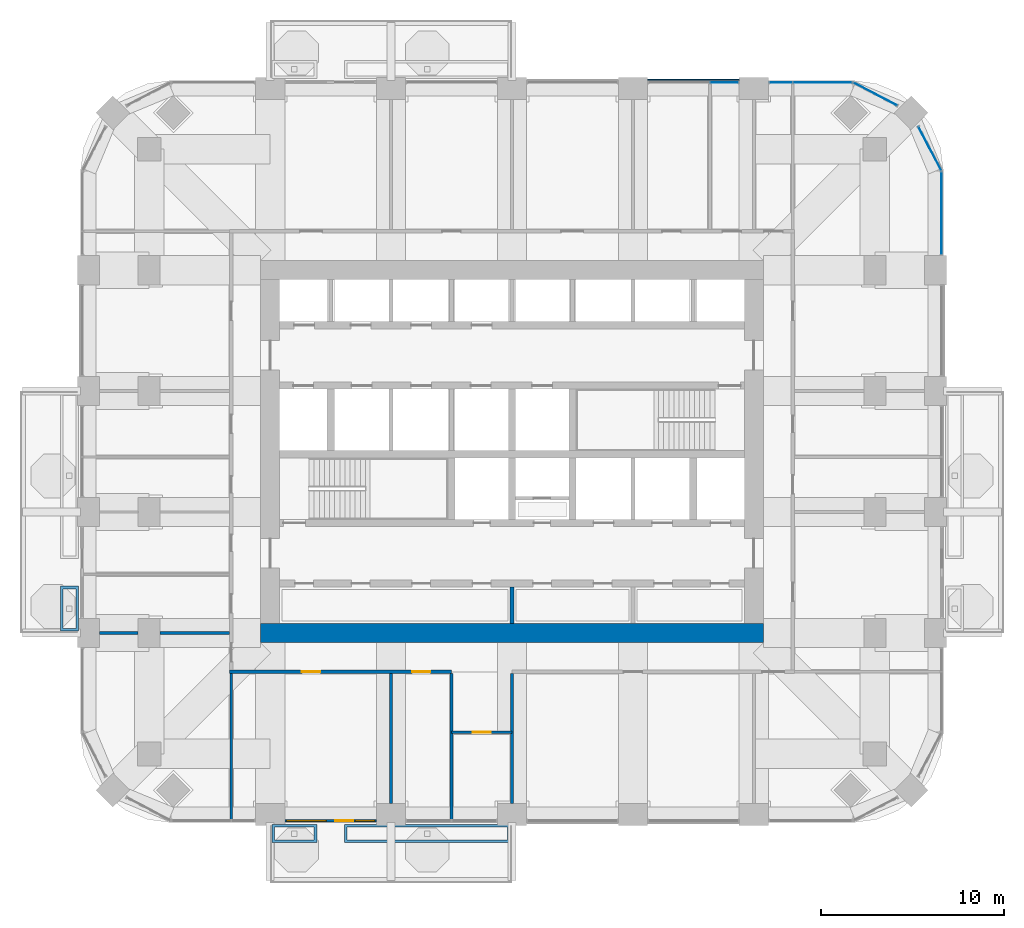
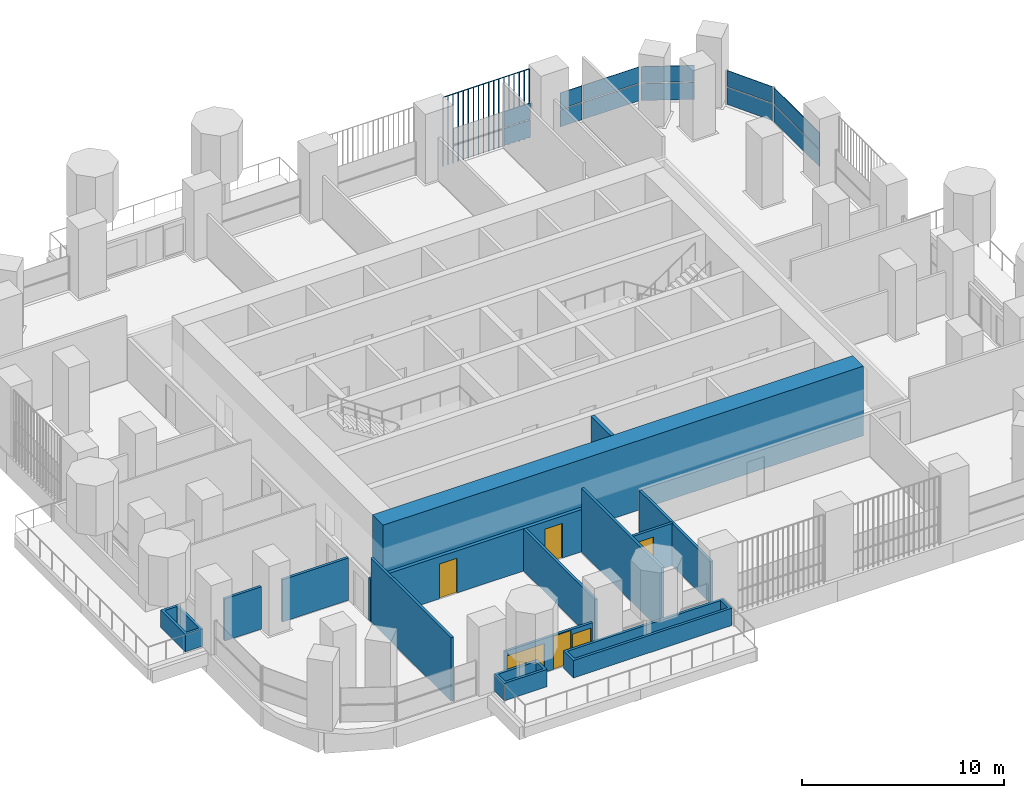
# One storey, part 11 of 20: 14 walls, 13 plates, 4 doors, 2 windows, 6 openings, 5 elements without a shape of their own.
"""IFC4 building model written with IfcOpenShell, lengths in metres."""

from ifc_helpers import new_model, si_unit, direction, frame, frame_2d, origin, origin_2d, place, context, subcontext, project, spatial, polyline, rectangle, outline, extrude, material, layer, layer_set, type_object, element, fill, aggregate, save


model = new_model("IFC4")

# Units and contexts
model_context = context("Model", 3, precision=1e-05, world=origin(), true_north=direction((0.0, 1.0)))
body_context = subcontext(model_context, "Body", "Model", "MODEL_VIEW")
ifc_project = project(units=[si_unit("LENGTHUNIT", "METRE"), si_unit("AREAUNIT", "SQUARE_METRE"), si_unit("VOLUMEUNIT", "CUBIC_METRE"), si_unit("PLANEANGLEUNIT", "RADIAN"), si_unit("MASSUNIT", "GRAM", prefix="KILO")], contexts=[model_context])

# Site, building, storey
site_placement = place(None, origin())
site = spatial("IfcSite", under=ifc_project, at=site_placement, CompositionType="ELEMENT")
building_placement = place(site_placement, origin())
building = spatial("IfcBuilding", under=site, at=building_placement, Name="Cobogo Forest Laboratory Tower", CompositionType="ELEMENT")
storey_placement = place(building_placement, frame((0.0, 0.0, 218.699951171875)))
storey = spatial("IfcBuildingStorey", under=building, at=storey_placement, Name="L50", CompositionType="ELEMENT", Elevation=218.699951171875)

# Curtain wall, plates
ifc_material_1 = material(Name="Aluminium curtain wall", Category="aluminium")
curtain_wall_type = type_object("IfcCurtainWallType", Name="CW-2 unitised curtain wall, solar control glazing, laboratory floors zones C and D", PredefinedType="USERDEFINED", material=ifc_material_1)
curtain_wall_1_placement = place(storey_placement, origin())
curtain_wall_1 = element("IfcCurtainWall", 1, at=curtain_wall_1_placement, inside=storey, type_object=curtain_wall_type, Name="Curtain wall 13 L50", ObjectType="UNITISED CURTAIN WALL", PredefinedType="USERDEFINED")
ifc_material_2 = material(Name="Solar control insulated glass", Category="glass")
ifc_layer_1 = layer(ifc_material_2, 0.031982421875)
ifc_layer_set_1 = layer_set([ifc_layer_1], Name="GP-2 solar control glass unit 32")
plate_type_1 = type_object("IfcPlateType", Name="GP-2 solar control glass unit 32", PredefinedType="CURTAIN_PANEL", material=ifc_layer_set_1)
plate_1_placement = place(storey_placement, frame((49.85009765625, 36.10009765625, 0.0), z_axis=(0.0, 0.0, 1.0), x_axis=(0.0, 1.0, 0.0)))
plate_1 = element("IfcPlate", 2, at=plate_1_placement, type_object=plate_type_1, Name="CW-2 panel 1.1", PredefinedType="CURTAIN_PANEL", context=body_context, shape_type="SweptSolid", body=[
    extrude(rectangle(XDim=4.47998046875, YDim=0.031982421875, at=origin_2d()), origin(), (0.0, 0.0, 1.0), 1.02001953125),
])
plate_2_placement = place(storey_placement, frame((49.85009765625, 36.10009765625, 1.080078125), z_axis=(0.0, 0.0, 1.0), x_axis=(0.0, 1.0, 0.0)))
plate_2 = element("IfcPlate", 3, at=plate_2_placement, type_object=plate_type_1, Name="CW-2 panel 1.2", PredefinedType="CURTAIN_PANEL", context=body_context, shape_type="SweptSolid", body=[
    extrude(rectangle(XDim=4.47998046875, YDim=0.031982421875, at=origin_2d()), origin(), (0.0, 0.0, 1.0), 0.969970703125),
])
aggregate(curtain_wall_1, [plate_1, plate_2])

curtain_wall_2_placement = place(storey_placement, origin())
curtain_wall_2 = element("IfcCurtainWall", 4, at=curtain_wall_2_placement, inside=storey, type_object=curtain_wall_type, Name="Curtain wall 14 L50", ObjectType="UNITISED CURTAIN WALL", PredefinedType="USERDEFINED")
plate_3_placement = place(storey_placement, frame((49.20556640625, 39.629150390625, 0.0), z_axis=(0.0, 0.0, 1.0), x_axis=(-0.464283685186, 0.885686547075, 0.0)))
plate_3 = element("IfcPlate", 5, at=plate_3_placement, type_object=plate_type_1, Name="CW-2 panel 1.1", PredefinedType="CURTAIN_PANEL", context=body_context, shape_type="SweptSolid", body=[
    extrude(rectangle(XDim=2.655517578125, YDim=0.031982421875, at=origin_2d()), origin(), (0.0, 0.0, 1.0), 1.02001953125),
])
plate_4_placement = place(storey_placement, frame((49.20556640625, 39.629150390625, 1.080078125), z_axis=(0.0, 0.0, 1.0), x_axis=(-0.464283685186, 0.885686547075, 0.0)))
plate_4 = element("IfcPlate", 6, at=plate_4_placement, type_object=plate_type_1, Name="CW-2 panel 1.2", PredefinedType="CURTAIN_PANEL", context=body_context, shape_type="SweptSolid", body=[
    extrude(rectangle(XDim=2.655517578125, YDim=0.031982421875, at=origin_2d()), origin(), (0.0, 0.0, 1.0), 0.969970703125),
])
aggregate(curtain_wall_2, [plate_3, plate_4])

curtain_wall_3_placement = place(storey_placement, origin())
curtain_wall_3 = element("IfcCurtainWall", 7, at=curtain_wall_3_placement, inside=storey, type_object=curtain_wall_type, Name="Curtain wall 15 L50", ObjectType="UNITISED CURTAIN WALL", PredefinedType="USERDEFINED")
plate_5_placement = place(storey_placement, frame((46.229248046875, 42.605712890625, 0.0), z_axis=(0.0, 0.0, 1.0), x_axis=(-0.885686547075, 0.464283685186, 0.0)))
plate_5 = element("IfcPlate", 8, at=plate_5_placement, type_object=plate_type_1, Name="CW-2 panel 1.1", PredefinedType="CURTAIN_PANEL", context=body_context, shape_type="SweptSolid", body=[
    extrude(rectangle(XDim=2.655517578125, YDim=0.031982421875, at=origin_2d()), origin(), (0.0, 0.0, 1.0), 1.02001953125),
])
plate_6_placement = place(storey_placement, frame((46.229248046875, 42.605712890625, 1.080078125), z_axis=(0.0, 0.0, 1.0), x_axis=(-0.885686547075, 0.464283685186, 0.0)))
plate_6 = element("IfcPlate", 9, at=plate_6_placement, type_object=plate_type_1, Name="CW-2 panel 1.2", PredefinedType="CURTAIN_PANEL", context=body_context, shape_type="SweptSolid", body=[
    extrude(rectangle(XDim=2.655517578125, YDim=0.031982421875, at=origin_2d()), origin(), (0.0, 0.0, 1.0), 0.969970703125),
])
aggregate(curtain_wall_3, [plate_5, plate_6])

curtain_wall_4_placement = place(storey_placement, origin())
curtain_wall_4 = element("IfcCurtainWall", 10, at=curtain_wall_4_placement, inside=storey, type_object=curtain_wall_type, Name="Curtain wall 16 L50", ObjectType="UNITISED CURTAIN WALL", PredefinedType="USERDEFINED")
plate_7_placement = place(storey_placement, frame((43.347412109375, 43.25, 0.0), z_axis=(0.0, 0.0, 1.0), x_axis=(-1.0, 0.0, 0.0)))
plate_7 = element("IfcPlate", 11, at=plate_7_placement, type_object=plate_type_1, Name="CW-2 panel 1.1", PredefinedType="CURTAIN_PANEL", context=body_context, shape_type="SweptSolid", body=[
    extrude(rectangle(XDim=3.18505859375, YDim=0.031982421875, at=origin_2d()), origin(), (0.0, 0.0, 1.0), 1.02001953125),
])
plate_8_placement = place(storey_placement, frame((43.347412109375, 43.25, 1.080078125), z_axis=(0.0, 0.0, 1.0), x_axis=(-1.0, 0.0, 0.0)))
plate_8 = element("IfcPlate", 12, at=plate_8_placement, type_object=plate_type_1, Name="CW-2 panel 1.2", PredefinedType="CURTAIN_PANEL", context=body_context, shape_type="SweptSolid", body=[
    extrude(rectangle(XDim=3.18505859375, YDim=0.031982421875, at=origin_2d()), origin(), (0.0, 0.0, 1.0), 0.969970703125),
])
plate_9_placement = place(storey_placement, frame((41.077392578125, 43.25, 0.0), z_axis=(0.0, 0.0, 1.0), x_axis=(-1.0, 0.0, 0.0)))
plate_9 = element("IfcPlate", 13, at=plate_9_placement, type_object=plate_type_1, Name="CW-2 panel 2.1", PredefinedType="CURTAIN_PANEL", context=body_context, shape_type="SweptSolid", body=[
    extrude(rectangle(XDim=1.235107421875, YDim=0.031982421875, at=origin_2d()), origin(), (0.0, 0.0, 1.0), 1.02001953125),
])
plate_10_placement = place(storey_placement, frame((41.077392578125, 43.25, 1.080078125), z_axis=(0.0, 0.0, 1.0), x_axis=(-1.0, 0.0, 0.0)))
plate_10 = element("IfcPlate", 14, at=plate_10_placement, type_object=plate_type_1, Name="CW-2 panel 2.2", PredefinedType="CURTAIN_PANEL", context=body_context, shape_type="SweptSolid", body=[
    extrude(rectangle(XDim=1.235107421875, YDim=0.031982421875, at=origin_2d()), origin(), (0.0, 0.0, 1.0), 0.969970703125),
])
aggregate(curtain_wall_4, [plate_7, plate_8, plate_9, plate_10])

curtain_wall_5_placement = place(storey_placement, origin())
curtain_wall_5 = element("IfcCurtainWall", 15, at=curtain_wall_5_placement, inside=storey, type_object=curtain_wall_type, Name="Curtain wall 17 L50", ObjectType="UNITISED CURTAIN WALL", PredefinedType="USERDEFINED")
plate_11_placement = place(storey_placement, frame((37.985107421875, 43.25, 0.0), z_axis=(0.0, 0.0, 1.0), x_axis=(-1.0, 0.0, 0.0)))
plate_11 = element("IfcPlate", 16, at=plate_11_placement, type_object=plate_type_1, Name="CW-2 panel 1.1", PredefinedType="CURTAIN_PANEL", context=body_context, shape_type="SweptSolid", body=[
    extrude(rectangle(XDim=1.510009765625, YDim=0.031982421875, at=origin_2d()), origin(), (0.0, 0.0, 1.0), 1.02001953125),
])
plate_12_placement = place(storey_placement, frame((37.985107421875, 43.25, 1.080078125), z_axis=(0.0, 0.0, 1.0), x_axis=(-1.0, 0.0, 0.0)))
plate_12 = element("IfcPlate", 17, at=plate_12_placement, type_object=plate_type_1, Name="CW-2 panel 1.2", PredefinedType="CURTAIN_PANEL", context=body_context, shape_type="SweptSolid", body=[
    extrude(rectangle(XDim=1.510009765625, YDim=0.031982421875, at=origin_2d()), origin(), (0.0, 0.0, 1.0), 0.969970703125),
])
aggregate(curtain_wall_5, [plate_11, plate_12])

# Plate
ifc_material_3 = material(Name="Terracotta", Category="masonry")
plate_type_2 = type_object("IfcPlateType", Name="TB1 terracotta baguette screen", PredefinedType="USERDEFINED", material=ifc_material_3)
plate_13_placement = place(storey_placement, frame((33.831298828125, 43.3779296875, -0.14990234375)))
element("IfcPlate", 18, at=plate_13_placement, inside=storey, type_object=plate_type_2, Name="Baguette screen N4 L50", ObjectType="BAGUETTE SCREEN", PredefinedType="USERDEFINED", context=body_context, shape_type="SweptSolid", body=[
    extrude(outline(polyline([(0.02880859375, 0.011962890625), (0.011962890625, 0.02880859375), (-0.011962890625, 0.02880859375), (-0.02880859375, 0.011962890625), (-0.02880859375, -0.011962890625), (-0.011962890625, -0.02880859375), (0.011962890625, -0.02880859375), (0.02880859375, -0.011962890625), (0.02880859375, 0.011962890625)])), frame((0.0, 0.0, 4.168701171875), z_axis=(1.0, 0.0, 0.0), x_axis=(0.0, 1.0, 0.0)), (0.0, 0.0, 1.0), 4.9375),
    extrude(outline(polyline([(0.02880859375, 0.011962890625), (0.011962890625, 0.02880859375), (-0.011962890625, 0.02880859375), (-0.02880859375, 0.011962890625), (-0.02880859375, -0.011962890625), (-0.011962890625, -0.02880859375), (0.011962890625, -0.02880859375), (0.02880859375, -0.011962890625), (0.02880859375, 0.011962890625)])), origin(), (0.0, 0.0, 1.0), 4.137451171875),
    extrude(outline(polyline([(0.02880859375, 0.011962890625), (0.011962890625, 0.02880859375), (-0.011962890625, 0.02880859375), (-0.02880859375, 0.011962890625), (-0.02880859375, -0.011962890625), (-0.011962890625, -0.02880859375), (0.011962890625, -0.02880859375), (0.02880859375, -0.011962890625), (0.02880859375, 0.011962890625)])), frame((0.29052734375, 0.0, 0.0)), (0.0, 0.0, 1.0), 4.137451171875),
    extrude(outline(polyline([(0.02880859375, 0.011962890625), (0.011962890625, 0.02880859375), (-0.011962890625, 0.02880859375), (-0.02880859375, 0.011962890625), (-0.02880859375, -0.011962890625), (-0.011962890625, -0.02880859375), (0.011962890625, -0.02880859375), (0.02880859375, -0.011962890625), (0.02880859375, 0.011962890625)])), frame((0.580810546875, 0.0, 0.0)), (0.0, 0.0, 1.0), 4.137451171875),
    extrude(outline(polyline([(0.02880859375, 0.011962890625), (0.011962890625, 0.02880859375), (-0.011962890625, 0.02880859375), (-0.02880859375, 0.011962890625), (-0.02880859375, -0.011962890625), (-0.011962890625, -0.02880859375), (0.011962890625, -0.02880859375), (0.02880859375, -0.011962890625), (0.02880859375, 0.011962890625)])), frame((0.871337890625, 0.0, 0.0)), (0.0, 0.0, 1.0), 4.137451171875),
    extrude(outline(polyline([(0.02880859375, 0.011962890625), (0.011962890625, 0.02880859375), (-0.011962890625, 0.02880859375), (-0.02880859375, 0.011962890625), (-0.02880859375, -0.011962890625), (-0.011962890625, -0.02880859375), (0.011962890625, -0.02880859375), (0.02880859375, -0.011962890625), (0.02880859375, 0.011962890625)])), frame((1.161865234375, 0.0, 0.0)), (0.0, 0.0, 1.0), 4.137451171875),
    extrude(outline(polyline([(0.02880859375, 0.011962890625), (0.011962890625, 0.02880859375), (-0.011962890625, 0.02880859375), (-0.02880859375, 0.011962890625), (-0.02880859375, -0.011962890625), (-0.011962890625, -0.02880859375), (0.011962890625, -0.02880859375), (0.02880859375, -0.011962890625), (0.02880859375, 0.011962890625)])), frame((1.4521484375, 0.0, 0.0)), (0.0, 0.0, 1.0), 4.137451171875),
    extrude(outline(polyline([(0.02880859375, 0.011962890625), (0.011962890625, 0.02880859375), (-0.011962890625, 0.02880859375), (-0.02880859375, 0.011962890625), (-0.02880859375, -0.011962890625), (-0.011962890625, -0.02880859375), (0.011962890625, -0.02880859375), (0.02880859375, -0.011962890625), (0.02880859375, 0.011962890625)])), frame((1.74267578125, 0.0, 0.0)), (0.0, 0.0, 1.0), 4.137451171875),
    extrude(outline(polyline([(0.02880859375, 0.011962890625), (0.011962890625, 0.02880859375), (-0.011962890625, 0.02880859375), (-0.02880859375, 0.011962890625), (-0.02880859375, -0.011962890625), (-0.011962890625, -0.02880859375), (0.011962890625, -0.02880859375), (0.02880859375, -0.011962890625), (0.02880859375, 0.011962890625)])), frame((2.033203125, 0.0, 0.0)), (0.0, 0.0, 1.0), 4.137451171875),
    extrude(outline(polyline([(0.02880859375, 0.011962890625), (0.011962890625, 0.02880859375), (-0.011962890625, 0.02880859375), (-0.02880859375, 0.011962890625), (-0.02880859375, -0.011962890625), (-0.011962890625, -0.02880859375), (0.011962890625, -0.02880859375), (0.02880859375, -0.011962890625), (0.02880859375, 0.011962890625)])), frame((2.323486328125, 0.0, 0.0)), (0.0, 0.0, 1.0), 4.137451171875),
    extrude(outline(polyline([(0.02880859375, 0.011962890625), (0.011962890625, 0.02880859375), (-0.011962890625, 0.02880859375), (-0.02880859375, 0.011962890625), (-0.02880859375, -0.011962890625), (-0.011962890625, -0.02880859375), (0.011962890625, -0.02880859375), (0.02880859375, -0.011962890625), (0.02880859375, 0.011962890625)])), frame((2.614013671875, 0.0, 0.0)), (0.0, 0.0, 1.0), 4.137451171875),
    extrude(outline(polyline([(0.02880859375, 0.011962890625), (0.011962890625, 0.02880859375), (-0.011962890625, 0.02880859375), (-0.02880859375, 0.011962890625), (-0.02880859375, -0.011962890625), (-0.011962890625, -0.02880859375), (0.011962890625, -0.02880859375), (0.02880859375, -0.011962890625), (0.02880859375, 0.011962890625)])), frame((2.904296875, 0.0, 0.0)), (0.0, 0.0, 1.0), 4.137451171875),
    extrude(outline(polyline([(0.02880859375, 0.011962890625), (0.011962890625, 0.02880859375), (-0.011962890625, 0.02880859375), (-0.02880859375, 0.011962890625), (-0.02880859375, -0.011962890625), (-0.011962890625, -0.02880859375), (0.011962890625, -0.02880859375), (0.02880859375, -0.011962890625), (0.02880859375, 0.011962890625)])), frame((3.19482421875, 0.0, 0.0)), (0.0, 0.0, 1.0), 4.137451171875),
    extrude(outline(polyline([(0.02880859375, 0.011962890625), (0.011962890625, 0.02880859375), (-0.011962890625, 0.02880859375), (-0.02880859375, 0.011962890625), (-0.02880859375, -0.011962890625), (-0.011962890625, -0.02880859375), (0.011962890625, -0.02880859375), (0.02880859375, -0.011962890625), (0.02880859375, 0.011962890625)])), frame((3.4853515625, 0.0, 0.0)), (0.0, 0.0, 1.0), 4.137451171875),
    extrude(outline(polyline([(0.02880859375, 0.011962890625), (0.011962890625, 0.02880859375), (-0.011962890625, 0.02880859375), (-0.02880859375, 0.011962890625), (-0.02880859375, -0.011962890625), (-0.011962890625, -0.02880859375), (0.011962890625, -0.02880859375), (0.02880859375, -0.011962890625), (0.02880859375, 0.011962890625)])), frame((3.775634765625, 0.0, 0.0)), (0.0, 0.0, 1.0), 4.137451171875),
    extrude(outline(polyline([(0.02880859375, 0.011962890625), (0.011962890625, 0.02880859375), (-0.011962890625, 0.02880859375), (-0.02880859375, 0.011962890625), (-0.02880859375, -0.011962890625), (-0.011962890625, -0.02880859375), (0.011962890625, -0.02880859375), (0.02880859375, -0.011962890625), (0.02880859375, 0.011962890625)])), frame((4.066162109375, 0.0, 0.0)), (0.0, 0.0, 1.0), 4.137451171875),
    extrude(outline(polyline([(0.02880859375, 0.011962890625), (0.011962890625, 0.02880859375), (-0.011962890625, 0.02880859375), (-0.02880859375, 0.011962890625), (-0.02880859375, -0.011962890625), (-0.011962890625, -0.02880859375), (0.011962890625, -0.02880859375), (0.02880859375, -0.011962890625), (0.02880859375, 0.011962890625)])), frame((4.356689453125, 0.0, 0.0)), (0.0, 0.0, 1.0), 4.137451171875),
    extrude(outline(polyline([(0.02880859375, 0.011962890625), (0.011962890625, 0.02880859375), (-0.011962890625, 0.02880859375), (-0.02880859375, 0.011962890625), (-0.02880859375, -0.011962890625), (-0.011962890625, -0.02880859375), (0.011962890625, -0.02880859375), (0.02880859375, -0.011962890625), (0.02880859375, 0.011962890625)])), frame((4.64697265625, 0.0, 0.0)), (0.0, 0.0, 1.0), 4.137451171875),
    extrude(outline(polyline([(0.02880859375, 0.011962890625), (0.011962890625, 0.02880859375), (-0.011962890625, 0.02880859375), (-0.02880859375, 0.011962890625), (-0.02880859375, -0.011962890625), (-0.011962890625, -0.02880859375), (0.011962890625, -0.02880859375), (0.02880859375, -0.011962890625), (0.02880859375, 0.011962890625)])), frame((4.9375, 0.0, 0.0)), (0.0, 0.0, 1.0), 4.137451171875),
])

# Wall
ifc_material_4 = material(Name="Concrete HA-50 (C50/60)", Category="concrete")
ifc_layer_2 = layer(ifc_material_4, 1.050048828125)
ifc_layer_set_2 = layer_set([ifc_layer_2], Name="CW1050 core outer wall 1050")
wall_type_1 = type_object("IfcWallType", Name="CW1050 core outer wall 1050", PredefinedType="SHEAR", material=ifc_layer_set_2)
wall_1_placement = place(storey_placement, frame((12.675048828125, 13.199951171875, 0.0), z_axis=(0.0, 0.0, 1.0), x_axis=(1.0, 0.0, 0.0)))
element("IfcWall", 19, at=wall_1_placement, inside=storey, type_object=wall_type_1, Name="Core wall CO-S L50", PredefinedType="SHEAR", context=body_context, shape_type="SweptSolid", body=[
    extrude(rectangle(XDim=27.449951171875, YDim=1.050048828125, at=frame_2d((13.72509765625, 0.0))), origin(), (0.0, 0.0, 1.0), 4.199951171875),
])

# Wall, openings, door, windows
ifc_material_5 = material(Name="Aluminium framed glazed screen", Category="aluminium")
ifc_layer_3 = layer(ifc_material_5, 0.14990234375)
ifc_layer_set_3 = layer_set([ifc_layer_3], Name="GS1 glazed door screen 150")
wall_type_2 = type_object("IfcWallType", Name="GS1 glazed door screen 150", PredefinedType="SOLIDWALL", material=ifc_layer_set_3)
wall_2_placement = place(storey_placement, frame((14.0, 2.949951171875, 0.0), z_axis=(0.0, 0.0, 1.0), x_axis=(1.0, 0.0, 0.0)))
wall_2 = element("IfcWall", 20, at=wall_2_placement, inside=storey, type_object=wall_type_2, Name="Door screen BAL-S1 L50", PredefinedType="SOLIDWALL", context=body_context, shape_type="SweptSolid", body=[
    extrude(rectangle(XDim=5.0, YDim=0.14990234375, at=frame_2d((2.5, 0.0))), origin(), (0.0, 0.0, 1.0), 2.050048828125),
])
opening_1_placement = place(wall_2_placement, frame((2.75, 0.0, 0.0)))
opening_1 = element("IfcOpeningElement", 21, at=opening_1_placement, cuts=wall_2, Name="Opening L50-D01", PredefinedType="OPENING", context=body_context, shape_type="SweptSolid", body=[
    extrude(rectangle(XDim=1.0, YDim=2.0, at=frame_2d((0.5, 1.0))), frame((0.0, 0.0849609375, 0.0), z_axis=(0.0, -1.0, 0.0), x_axis=(1.0, 0.0, 0.0)), (0.0, 0.0, 1.0), 0.169921875),
])
opening_2_placement = place(wall_2_placement, frame((0.10009765625, 0.0, 0.10009765625)))
opening_2 = element("IfcOpeningElement", 22, at=opening_2_placement, cuts=wall_2, Name="Opening L50-W01", PredefinedType="OPENING", context=body_context, shape_type="SweptSolid", body=[
    extrude(rectangle(XDim=2.14990234375, YDim=1.64990234375, at=frame_2d((1.074951171875, 0.824951171875))), frame((0.0, 0.0849609375, 0.0), z_axis=(0.0, -1.0, 0.0), x_axis=(1.0, 0.0, 0.0)), (0.0, 0.0, 1.0), 0.169921875),
])
opening_3_placement = place(wall_2_placement, frame((3.85009765625, 0.0, 0.10009765625)))
opening_3 = element("IfcOpeningElement", 23, at=opening_3_placement, cuts=wall_2, Name="Opening L50-W02", PredefinedType="OPENING", context=body_context, shape_type="SweptSolid", body=[
    extrude(rectangle(XDim=1.050048828125, YDim=1.64990234375, at=frame_2d((0.52490234375, 0.824951171875))), frame((0.0, 0.0849609375, 0.0), z_axis=(0.0, -1.0, 0.0), x_axis=(1.0, 0.0, 0.0)), (0.0, 0.0, 1.0), 0.169921875),
])
ifc_material_6 = material(Name="Aluminium glazed door", Category="aluminium")
door_type_1 = type_object("IfcDoorType", Name="DB2 balcony door 1000 glazed 2000 high", OperationType="SINGLE_SWING_LEFT", PredefinedType="DOOR", material=ifc_material_6)
door_1_placement = place(opening_1_placement, origin())
door_1 = element("IfcDoor", 24, at=door_1_placement, inside=storey, type_object=door_type_1, Name="Door L50-BAL-S1", OperationType="SINGLE_SWING_RIGHT", OverallHeight=2.0, OverallWidth=1.0, PredefinedType="DOOR", context=body_context, shape_type="SweptSolid", body=[
    extrude(rectangle(XDim=1.0, YDim=2.0, at=frame_2d((0.5, 1.0))), frame((0.0, 0.02490234375, 0.0), z_axis=(0.0, -1.0, 0.0), x_axis=(1.0, 0.0, 0.0)), (0.0, 0.0, 1.0), 0.050048828125),
])
fill(opening_1, door_1)
ifc_material_7 = material(Name="Aluminium framed glazing", Category="aluminium")
window_type_1 = type_object("IfcWindowType", Name="WG19 fixed glazed light 2150x1650", PartitioningType="SINGLE_PANEL", PredefinedType="WINDOW", material=ifc_material_7)
window_1_placement = place(opening_2_placement, origin())
window_1 = element("IfcWindow", 25, at=window_1_placement, inside=storey, type_object=window_type_1, Name="Window L50-BAL-S1-1", OverallHeight=1.64990234375, OverallWidth=2.14990234375, PartitioningType="SINGLE_PANEL", PredefinedType="WINDOW", context=body_context, shape_type="SweptSolid", body=[
    extrude(rectangle(XDim=2.14990234375, YDim=1.64990234375, at=frame_2d((1.074951171875, 0.824951171875))), frame((0.0, 0.030029296875, 0.0), z_axis=(0.0, -1.0, 0.0), x_axis=(1.0, 0.0, 0.0)), (0.0, 0.0, 1.0), 0.06005859375),
])
fill(opening_2, window_1)
window_type_2 = type_object("IfcWindowType", Name="WG20 fixed glazed light 1050x1650", PartitioningType="SINGLE_PANEL", PredefinedType="WINDOW", material=ifc_material_7)
window_2_placement = place(opening_3_placement, origin())
window_2 = element("IfcWindow", 26, at=window_2_placement, inside=storey, type_object=window_type_2, Name="Window L50-BAL-S1-2", OverallHeight=1.64990234375, OverallWidth=1.050048828125, PartitioningType="SINGLE_PANEL", PredefinedType="WINDOW", context=body_context, shape_type="SweptSolid", body=[
    extrude(rectangle(XDim=1.050048828125, YDim=1.64990234375, at=frame_2d((0.52490234375, 0.824951171875))), frame((0.0, 0.030029296875, 0.0), z_axis=(0.0, -1.0, 0.0), x_axis=(1.0, 0.0, 0.0)), (0.0, 0.0, 1.0), 0.06005859375),
])
fill(opening_3, window_2)

# Wall
ifc_material_8 = material(Name="Gypsum board on steel studs", Category="steel")
ifc_layer_4 = layer(ifc_material_8, 0.14990234375)
ifc_layer_set_4 = layer_set([ifc_layer_4], Name="PT1 laboratory partition 150")
wall_type_3 = type_object("IfcWallType", Name="PT1 laboratory partition 150", PredefinedType="PARTITIONING", material=ifc_layer_set_4)
wall_3_placement = place(storey_placement, frame((11.074951171875, 3.030029296875, 0.0), z_axis=(0.0, 0.0, 1.0), x_axis=(0.0, 1.0, 0.0)))
element("IfcWall", 27, at=wall_3_placement, inside=storey, type_object=wall_type_3, Name="Partition PW-SW L50", PredefinedType="PARTITIONING", context=body_context, shape_type="SweptSolid", body=[
    extrude(rectangle(XDim=7.945068359375, YDim=0.14990234375, at=frame_2d((3.97265625, 0.0))), origin(), (0.0, 0.0, 1.0), 3.85009765625),
])

# Wall, opening, door
wall_4_placement = place(storey_placement, frame((23.10009765625, 7.77490234375, 0.0), z_axis=(0.0, 0.0, 1.0), x_axis=(1.0, 0.0, 0.0)))
wall_4 = element("IfcWall", 28, at=wall_4_placement, inside=storey, type_object=wall_type_3, Name="Partition NODE-S-1 L50", PredefinedType="PARTITIONING", context=body_context, shape_type="SweptSolid", body=[
    extrude(rectangle(XDim=3.2998046875, YDim=0.14990234375, at=frame_2d((1.64990234375, 0.0))), origin(), (0.0, 0.0, 1.0), 2.550048828125),
])
opening_4_placement = place(wall_4_placement, frame((1.14990234375, 0.0, 0.0)))
opening_4 = element("IfcOpeningElement", 29, at=opening_4_placement, cuts=wall_4, Name="Opening L50-D02", PredefinedType="OPENING", context=body_context, shape_type="SweptSolid", body=[
    extrude(rectangle(XDim=1.0, YDim=2.10009765625, at=frame_2d((0.5, 1.050048828125))), frame((0.0, 0.0849609375, 0.0), z_axis=(0.0, -1.0, 0.0), x_axis=(1.0, 0.0, 0.0)), (0.0, 0.0, 1.0), 0.169921875),
])
ifc_material_9 = material(Name="Timber fire door", Category="wood")
door_type_2 = type_object("IfcDoorType", Name="FD2 fire door 1000 EI2 30", OperationType="SINGLE_SWING_LEFT", PredefinedType="DOOR", material=ifc_material_9)
door_2_placement = place(opening_4_placement, origin())
door_2 = element("IfcDoor", 30, at=door_2_placement, inside=storey, type_object=door_type_2, Name="Door L50-S3", OperationType="SINGLE_SWING_LEFT", OverallHeight=2.10009765625, OverallWidth=1.0, PredefinedType="DOOR", context=body_context, shape_type="SweptSolid", body=[
    extrude(rectangle(XDim=1.0, YDim=2.10009765625, at=frame_2d((0.5, 1.050048828125))), frame((0.0, 0.02490234375, 0.0), z_axis=(0.0, -1.0, 0.0), x_axis=(1.0, 0.0, 0.0)), (0.0, 0.0, 1.0), 0.050048828125),
])
fill(opening_4, door_2)

# Walls
wall_5_placement = place(storey_placement, frame((19.800048828125, 3.89990234375, 0.0), z_axis=(0.0, 0.0, 1.0), x_axis=(0.0, 1.0, 0.0)))
element("IfcWall", 31, at=wall_5_placement, inside=storey, type_object=wall_type_3, Name="Partition CUT-S19.8-1 L50", PredefinedType="PARTITIONING", context=body_context, shape_type="SweptSolid", body=[
    extrude(rectangle(XDim=7.0751953125, YDim=0.14990234375, at=frame_2d((3.53759765625, 0.0))), origin(), (0.0, 0.0, 1.0), 2.550048828125),
])
wall_6_placement = place(storey_placement, frame((23.10009765625, 3.030029296875, 0.0), z_axis=(0.0, 0.0, 1.0), x_axis=(0.0, 1.0, 0.0)))
element("IfcWall", 32, at=wall_6_placement, inside=storey, type_object=wall_type_3, Name="Partition CUT-S23.1-1 L50", PredefinedType="PARTITIONING", context=body_context, shape_type="SweptSolid", body=[
    extrude(rectangle(XDim=7.945068359375, YDim=0.14990234375, at=frame_2d((3.97265625, 0.0))), origin(), (0.0, 0.0, 1.0), 3.85009765625),
])
wall_7_placement = place(storey_placement, frame((26.39990234375, 3.89990234375, 0.0), z_axis=(0.0, 0.0, 1.0), x_axis=(0.0, 1.0, 0.0)))
element("IfcWall", 33, at=wall_7_placement, inside=storey, type_object=wall_type_3, Name="Partition CUT-S26.4-1 L50", PredefinedType="PARTITIONING", context=body_context, shape_type="SweptSolid", body=[
    extrude(rectangle(XDim=7.0751953125, YDim=0.14990234375, at=frame_2d((3.53759765625, 0.0))), origin(), (0.0, 0.0, 1.0), 2.550048828125),
])
wall_8_placement = place(storey_placement, frame((3.89990234375, 13.199951171875, 0.0), z_axis=(0.0, 0.0, 1.0), x_axis=(1.0, 0.0, 0.0)))
element("IfcWall", 34, at=wall_8_placement, inside=storey, type_object=wall_type_3, Name="Partition CUT-W13.2-1 L50", PredefinedType="PARTITIONING", context=body_context, shape_type="SweptSolid", body=[
    extrude(rectangle(XDim=2.10009765625, YDim=0.14990234375, at=frame_2d((1.050048828125, 0.0))), origin(), (0.0, 0.0, 1.0), 2.550048828125),
])
wall_9_placement = place(storey_placement, frame((7.199951171875, 13.199951171875, 0.0), z_axis=(0.0, 0.0, 1.0), x_axis=(1.0, 0.0, 0.0)))
element("IfcWall", 35, at=wall_9_placement, inside=storey, type_object=wall_type_3, Name="Partition CUT-W13.2-2 L50", PredefinedType="PARTITIONING", context=body_context, shape_type="SweptSolid", body=[
    extrude(rectangle(XDim=3.775146484375, YDim=0.14990234375, at=frame_2d((1.8876953125, 0.0))), origin(), (0.0, 0.0, 1.0), 2.550048828125),
])

# Wall, openings, doors
ifc_layer_5 = layer(ifc_material_8, 0.199951171875)
ifc_layer_set_5 = layer_set([ifc_layer_5], Name="PT2 fire-rated corridor partition 200")
wall_type_4 = type_object("IfcWallType", Name="PT2 fire-rated corridor partition 200", PredefinedType="PARTITIONING", material=ifc_layer_set_5)
wall_10_placement = place(storey_placement, frame((10.97509765625, 11.074951171875, 0.0), z_axis=(0.0, 0.0, 1.0), x_axis=(1.0, 0.0, 0.0)))
wall_10 = element("IfcWall", 36, at=wall_10_placement, inside=storey, type_object=wall_type_4, Name="Partition CORR-S-1 L50", PredefinedType="PARTITIONING", context=body_context, shape_type="SweptSolid", body=[
    extrude(rectangle(XDim=12.125, YDim=0.199951171875, at=frame_2d((6.0625, 0.0))), origin(), (0.0, 0.0, 1.0), 2.550048828125),
])
opening_5_placement = place(wall_10_placement, frame((3.96240234375, 0.0, 0.0)))
opening_5 = element("IfcOpeningElement", 37, at=opening_5_placement, cuts=wall_10, Name="Opening L50-D03", PredefinedType="OPENING", context=body_context, shape_type="SweptSolid", body=[
    extrude(rectangle(XDim=1.0, YDim=2.10009765625, at=frame_2d((0.5, 1.050048828125))), frame((0.0, 0.10986328125, 0.0), z_axis=(0.0, -1.0, 0.0), x_axis=(1.0, 0.0, 0.0)), (0.0, 0.0, 1.0), 0.219970703125),
])
opening_6_placement = place(wall_10_placement, frame((9.97509765625, 0.0, 0.0)))
opening_6 = element("IfcOpeningElement", 38, at=opening_6_placement, cuts=wall_10, Name="Opening L50-D04", PredefinedType="OPENING", context=body_context, shape_type="SweptSolid", body=[
    extrude(rectangle(XDim=1.0, YDim=2.10009765625, at=frame_2d((0.5, 1.050048828125))), frame((0.0, 0.10986328125, 0.0), z_axis=(0.0, -1.0, 0.0), x_axis=(1.0, 0.0, 0.0)), (0.0, 0.0, 1.0), 0.219970703125),
])
door_3_placement = place(opening_5_placement, origin())
door_3 = element("IfcDoor", 39, at=door_3_placement, inside=storey, type_object=door_type_2, Name="Door L50-S1", OperationType="SINGLE_SWING_LEFT", OverallHeight=2.10009765625, OverallWidth=1.0, PredefinedType="DOOR", context=body_context, shape_type="SweptSolid", body=[
    extrude(rectangle(XDim=1.0, YDim=2.10009765625, at=frame_2d((0.5, 1.050048828125))), frame((0.0, 0.02490234375, 0.0), z_axis=(0.0, -1.0, 0.0), x_axis=(1.0, 0.0, 0.0)), (0.0, 0.0, 1.0), 0.050048828125),
])
fill(opening_5, door_3)
door_4_placement = place(opening_6_placement, origin())
door_4 = element("IfcDoor", 40, at=door_4_placement, inside=storey, type_object=door_type_2, Name="Door L50-S2", OperationType="SINGLE_SWING_RIGHT", OverallHeight=2.10009765625, OverallWidth=1.0, PredefinedType="DOOR", context=body_context, shape_type="SweptSolid", body=[
    extrude(rectangle(XDim=1.0, YDim=2.10009765625, at=frame_2d((0.5, 1.050048828125))), frame((0.0, 0.02490234375, 0.0), z_axis=(0.0, -1.0, 0.0), x_axis=(1.0, 0.0, 0.0)), (0.0, 0.0, 1.0), 0.050048828125),
])
fill(opening_6, door_4)

# Walls
ifc_material_10 = material(Name="Concrete HA-40 (C40/50)", Category="concrete")
ifc_layer_6 = layer(ifc_material_10, 0.14990234375)
ifc_layer_set_6 = layer_set([ifc_layer_6], Name="Planter box 1000x1050")
wall_type_5 = type_object("IfcWallType", Name="Planter box 1000x1050", PredefinedType="USERDEFINED", material=ifc_layer_set_6)
wall_11_placement = place(storey_placement, origin())
element("IfcWall", 41, at=wall_11_placement, inside=storey, type_object=wall_type_5, Name="Planter BAL-S1-1 L50", ObjectType="PLANTER", PredefinedType="USERDEFINED", context=body_context, shape_type="SweptSolid", body=[
    extrude(outline(polyline([(13.300048828125, 1.75), (15.75, 1.75), (15.75, 2.75), (13.300048828125, 2.75), (13.300048828125, 1.75)]), holes=[polyline([(13.449951171875, 1.89990234375), (15.60009765625, 1.89990234375), (15.60009765625, 2.60009765625), (13.449951171875, 2.60009765625), (13.449951171875, 1.89990234375)])]), origin(), (0.0, 0.0, 1.0), 1.050048828125),
])
wall_12_placement = place(storey_placement, origin())
element("IfcWall", 42, at=wall_12_placement, inside=storey, type_object=wall_type_5, Name="Planter BAL-S1-2 L50", ObjectType="PLANTER", PredefinedType="USERDEFINED", context=body_context, shape_type="SweptSolid", body=[
    extrude(outline(polyline([(17.25, 1.75), (26.300048828125, 1.75), (26.300048828125, 2.75), (17.25, 2.75), (17.25, 1.75)]), holes=[polyline([(17.39990234375, 1.89990234375), (26.14990234375, 1.89990234375), (26.14990234375, 2.60009765625), (17.39990234375, 2.60009765625), (17.39990234375, 1.89990234375)])]), origin(), (0.0, 0.0, 1.0), 1.050048828125),
])
wall_13_placement = place(storey_placement, origin())
element("IfcWall", 43, at=wall_13_placement, inside=storey, type_object=wall_type_5, Name="Planter BAL-W1-1 L50", ObjectType="PLANTER", PredefinedType="USERDEFINED", context=body_context, shape_type="SweptSolid", body=[
    extrude(outline(polyline([(1.75, 13.300048828125), (2.75, 13.300048828125), (2.75, 15.75), (1.75, 15.75), (1.75, 13.300048828125)]), holes=[polyline([(1.89990234375, 13.449951171875), (2.60009765625, 13.449951171875), (2.60009765625, 15.60009765625), (1.89990234375, 15.60009765625), (1.89990234375, 13.449951171875)])]), origin(), (0.0, 0.0, 1.0), 1.050048828125),
])
ifc_material_11 = material(Name="Concrete block", Category="concrete")
ifc_layer_7 = layer(ifc_material_11, 0.199951171875)
ifc_layer_set_7 = layer_set([ifc_layer_7], Name="SW200 lift shaft separator 200")
wall_type_6 = type_object("IfcWallType", Name="SW200 lift shaft separator 200", PredefinedType="PARTITIONING", material=ifc_layer_set_7)
wall_14_placement = place(storey_placement, frame((26.39990234375, 13.72509765625, 0.0), z_axis=(0.0, 0.0, 1.0), x_axis=(0.0, 1.0, 0.0)))
element("IfcWall", 44, at=wall_14_placement, inside=storey, type_object=wall_type_6, Name="Core wall SEP-S4 L50", PredefinedType="PARTITIONING", context=body_context, shape_type="SweptSolid", body=[
    extrude(rectangle(XDim=1.974853515625, YDim=0.199951171875, at=frame_2d((0.9873046875, 0.0))), origin(), (0.0, 0.0, 1.0), 4.199951171875),
])

save(model, "model.ifc")
